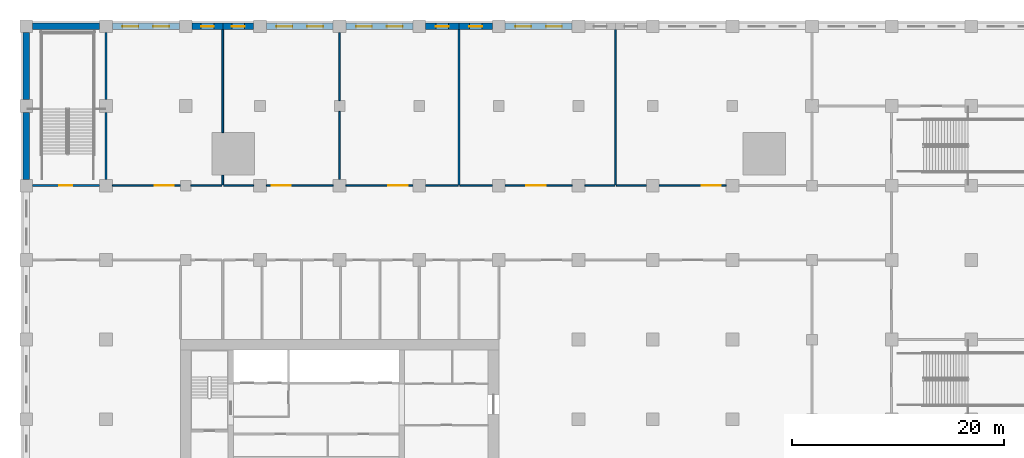
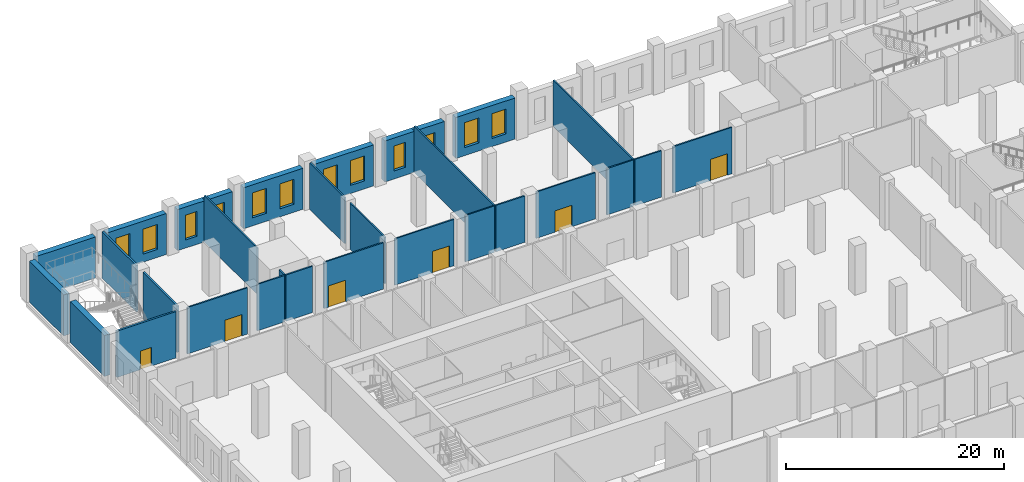
# One storey, part 9 of 25: 31 walls, 12 windows, 6 doors, 18 openings.
"""IFC4 building model written with IfcOpenShell, lengths in metres."""

from ifc_helpers import new_model, si_unit, direction, frame, frame_2d, origin, place, context, subcontext, project, spatial, rectangle, extrude, material, layer, layer_set, type_object, element, fill, save


model = new_model("IFC4")

# Units and contexts
model_context = context("Model", 3, precision=1e-05, world=origin(), true_north=direction((0.0, 1.0)))
body_context = subcontext(model_context, "Body", "Model", "MODEL_VIEW")
ifc_project = project(units=[si_unit("LENGTHUNIT", "METRE"), si_unit("AREAUNIT", "SQUARE_METRE"), si_unit("VOLUMEUNIT", "CUBIC_METRE"), si_unit("PLANEANGLEUNIT", "RADIAN"), si_unit("MASSUNIT", "GRAM", prefix="KILO")], contexts=[model_context])

# Site, building, storey
site_placement = place(None, origin())
site = spatial("IfcSite", under=ifc_project, at=site_placement, CompositionType="ELEMENT")
building_placement = place(site_placement, origin())
building = spatial("IfcBuilding", under=site, at=building_placement, Name="Tamorin Gate", CompositionType="ELEMENT")
storey_placement = place(building_placement, frame((0.0, 0.0, 23.5)))
storey = spatial("IfcBuildingStorey", under=building, at=storey_placement, Name="L04", CompositionType="ELEMENT", Elevation=23.5)

# Wall, opening, door
ifc_material_1 = material(Name="Concrete masonry C20/25", Category="masonry")
ifc_layer_1 = layer(ifc_material_1, 0.14990234375)
ifc_layer_set_1 = layer_set([ifc_layer_1], Name="Partition 150")
wall_type_1 = type_object("IfcWallType", Name="Partition 150", PredefinedType="PARTITIONING", material=ifc_layer_set_1)
wall_1_placement = place(storey_placement, frame((30.0, 97.0, 0.0), z_axis=(0.0, 0.0, 1.0), x_axis=(-1.0, 0.0, 0.0)))
wall_1 = element("IfcWall", 1, at=wall_1_placement, inside=storey, type_object=wall_type_1, Name="Partition 150 L04", PredefinedType="PARTITIONING", context=body_context, shape_type="SweptSolid", body=[
    extrude(rectangle(XDim=6.39990234375, YDim=0.14990234375, at=frame_2d((3.199951171875, 0.0))), origin(), (0.0, 0.0, 1.0), 5.199951171875),
])
opening_1_placement = place(wall_1_placement, frame((0.60009765625, 0.0, 0.0)))
opening_1 = element("IfcOpeningElement", 2, at=opening_1_placement, cuts=wall_1, Name="Opening DP3", PredefinedType="OPENING", context=body_context, shape_type="SweptSolid", body=[
    extrude(rectangle(XDim=1.800048828125, YDim=2.39990234375, at=frame_2d((0.89990234375, 1.199951171875))), frame((0.0, 0.0849609375, 0.0), z_axis=(0.0, -1.0, 0.0), x_axis=(1.0, 0.0, 0.0)), (0.0, 0.0, 1.0), 0.169921875),
])
ifc_material_2 = material(Name="Steel and glass", Category="steel")
door_type_1 = type_object("IfcDoorType", Name="Door pair 1800", OperationType="DOUBLE_DOOR_SINGLE_SWING", PredefinedType="DOOR", material=ifc_material_2)
door_1_placement = place(opening_1_placement, origin())
door_1 = element("IfcDoor", 3, at=door_1_placement, inside=storey, type_object=door_type_1, Name="Door pair 1800 L04", OperationType="SINGLE_SWING_LEFT", OverallHeight=2.39990234375, OverallWidth=1.800048828125, PredefinedType="DOOR", context=body_context, shape_type="SweptSolid", body=[
    extrude(rectangle(XDim=1.800048828125, YDim=2.39990234375, at=frame_2d((0.89990234375, 1.199951171875))), frame((0.0, 0.02490234375, 0.0), z_axis=(0.0, -1.0, 0.0), x_axis=(1.0, 0.0, 0.0)), (0.0, 0.0, 1.0), 0.050048828125),
])
fill(opening_1, door_1)

# Walls
wall_2_placement = place(storey_placement, frame((31.0, 97.0, 0.0), z_axis=(0.0, 0.0, 1.0), x_axis=(1.0, 0.0, 0.0)))
element("IfcWall", 4, at=wall_2_placement, inside=storey, type_object=wall_type_1, Name="Partition 150 L04", PredefinedType="PARTITIONING", context=body_context, shape_type="SweptSolid", body=[
    extrude(rectangle(XDim=2.925048828125, YDim=0.14990234375, at=frame_2d((1.46240234375, 0.0))), origin(), (0.0, 0.0, 1.0), 5.199951171875),
])
wall_3_placement = place(storey_placement, frame((34.074951171875, 97.0, 0.0), z_axis=(0.0, 0.0, 1.0), x_axis=(1.0, 0.0, 0.0)))
element("IfcWall", 5, at=wall_3_placement, inside=storey, type_object=wall_type_1, Name="Partition 150 L04", PredefinedType="PARTITIONING", context=body_context, shape_type="SweptSolid", body=[
    extrude(rectangle(XDim=2.824951171875, YDim=0.14990234375, at=frame_2d((1.41259765625, 0.0))), origin(), (0.0, 0.0, 1.0), 5.199951171875),
])

# Wall, opening, door
wall_4_placement = place(storey_placement, frame((44.39990234375, 97.0, 0.0), z_axis=(0.0, 0.0, 1.0), x_axis=(-1.0, 0.0, 0.0)))
wall_4 = element("IfcWall", 6, at=wall_4_placement, inside=storey, type_object=wall_type_1, Name="Partition 150 L04", PredefinedType="PARTITIONING", context=body_context, shape_type="SweptSolid", body=[
    extrude(rectangle(XDim=6.2998046875, YDim=0.14990234375, at=frame_2d((3.14990234375, 0.0))), origin(), (0.0, 0.0, 1.0), 5.199951171875),
])
opening_2_placement = place(wall_4_placement, frame((4.0, 0.0, 0.0)))
opening_2 = element("IfcOpeningElement", 7, at=opening_2_placement, cuts=wall_4, Name="Opening DP3", PredefinedType="OPENING", context=body_context, shape_type="SweptSolid", body=[
    extrude(rectangle(XDim=1.800048828125, YDim=2.39990234375, at=frame_2d((0.89990234375, 1.199951171875))), frame((0.0, 0.0849609375, 0.0), z_axis=(0.0, -1.0, 0.0), x_axis=(1.0, 0.0, 0.0)), (0.0, 0.0, 1.0), 0.169921875),
])
door_2_placement = place(opening_2_placement, origin())
door_2 = element("IfcDoor", 8, at=door_2_placement, inside=storey, type_object=door_type_1, Name="Door pair 1800 L04", OperationType="SINGLE_SWING_LEFT", OverallHeight=2.39990234375, OverallWidth=1.800048828125, PredefinedType="DOOR", context=body_context, shape_type="SweptSolid", body=[
    extrude(rectangle(XDim=1.800048828125, YDim=2.39990234375, at=frame_2d((0.89990234375, 1.199951171875))), frame((0.0, 0.02490234375, 0.0), z_axis=(0.0, -1.0, 0.0), x_axis=(1.0, 0.0, 0.0)), (0.0, 0.0, 1.0), 0.050048828125),
])
fill(opening_2, door_2)

wall_5_placement = place(storey_placement, frame((51.89990234375, 97.0, 0.0), z_axis=(0.0, 0.0, 1.0), x_axis=(-1.0, 0.0, 0.0)))
wall_5 = element("IfcWall", 9, at=wall_5_placement, inside=storey, type_object=wall_type_1, Name="Partition 150 L04", PredefinedType="PARTITIONING", context=body_context, shape_type="SweptSolid", body=[
    extrude(rectangle(XDim=6.2998046875, YDim=0.14990234375, at=frame_2d((3.14990234375, 0.0))), origin(), (0.0, 0.0, 1.0), 5.199951171875),
])
opening_3_placement = place(wall_5_placement, frame((0.5, 0.0, 0.0)))
opening_3 = element("IfcOpeningElement", 10, at=opening_3_placement, cuts=wall_5, Name="Opening DP3", PredefinedType="OPENING", context=body_context, shape_type="SweptSolid", body=[
    extrude(rectangle(XDim=1.800048828125, YDim=2.39990234375, at=frame_2d((0.89990234375, 1.199951171875))), frame((0.0, 0.0849609375, 0.0), z_axis=(0.0, -1.0, 0.0), x_axis=(1.0, 0.0, 0.0)), (0.0, 0.0, 1.0), 0.169921875),
])
door_3_placement = place(opening_3_placement, origin())
door_3 = element("IfcDoor", 11, at=door_3_placement, inside=storey, type_object=door_type_1, Name="Door pair 1800 L04", OperationType="SINGLE_SWING_LEFT", OverallHeight=2.39990234375, OverallWidth=1.800048828125, PredefinedType="DOOR", context=body_context, shape_type="SweptSolid", body=[
    extrude(rectangle(XDim=1.800048828125, YDim=2.39990234375, at=frame_2d((0.89990234375, 1.199951171875))), frame((0.0, 0.02490234375, 0.0), z_axis=(0.0, -1.0, 0.0), x_axis=(1.0, 0.0, 0.0)), (0.0, 0.0, 1.0), 0.050048828125),
])
fill(opening_3, door_3)

# Walls
for number, where, z_axis, x_axis, name in (
    (12, (53.10009765625, 97.0, 0.0), (0.0, 0.0, 1.0), (1.0, 0.0, 0.0), "Partition 150 L04"),
    (13, (56.324951171875, 97.0, 0.0), (0.0, 0.0, 1.0), (1.0, 0.0, 0.0), "Partition 150 L04"),
):
    element("IfcWall", number, at=place(storey_placement, frame(where, z_axis=z_axis, x_axis=x_axis)), inside=storey, type_object=wall_type_1, Name=name, PredefinedType="PARTITIONING", context=body_context, shape_type="SweptSolid", body=[
        extrude(rectangle(XDim=3.074951171875, YDim=0.14990234375, at=frame_2d((1.53759765625, 0.0))), origin(), (0.0, 0.0, 1.0), 5.199951171875),
    ])

# Wall, opening, door
wall_6_placement = place(storey_placement, frame((66.89990234375, 97.0, 0.0), z_axis=(0.0, 0.0, 1.0), x_axis=(-1.0, 0.0, 0.0)))
wall_6 = element("IfcWall", 14, at=wall_6_placement, inside=storey, type_object=wall_type_1, Name="Partition 150 L04", PredefinedType="PARTITIONING", context=body_context, shape_type="SweptSolid", body=[
    extrude(rectangle(XDim=6.2998046875, YDim=0.14990234375, at=frame_2d((3.14990234375, 0.0))), origin(), (0.0, 0.0, 1.0), 5.199951171875),
])
opening_4_placement = place(wall_6_placement, frame((2.5, 0.0, 0.0)))
opening_4 = element("IfcOpeningElement", 15, at=opening_4_placement, cuts=wall_6, Name="Opening DP3", PredefinedType="OPENING", context=body_context, shape_type="SweptSolid", body=[
    extrude(rectangle(XDim=1.800048828125, YDim=2.39990234375, at=frame_2d((0.89990234375, 1.199951171875))), frame((0.0, 0.0849609375, 0.0), z_axis=(0.0, -1.0, 0.0), x_axis=(1.0, 0.0, 0.0)), (0.0, 0.0, 1.0), 0.169921875),
])
door_4_placement = place(opening_4_placement, origin())
door_4 = element("IfcDoor", 16, at=door_4_placement, inside=storey, type_object=door_type_1, Name="Door pair 1800 L04", OperationType="SINGLE_SWING_LEFT", OverallHeight=2.39990234375, OverallWidth=1.800048828125, PredefinedType="DOOR", context=body_context, shape_type="SweptSolid", body=[
    extrude(rectangle(XDim=1.800048828125, YDim=2.39990234375, at=frame_2d((0.89990234375, 1.199951171875))), frame((0.0, 0.02490234375, 0.0), z_axis=(0.0, -1.0, 0.0), x_axis=(1.0, 0.0, 0.0)), (0.0, 0.0, 1.0), 0.050048828125),
])
fill(opening_4, door_4)

# Walls
for number, where, z_axis, x_axis, name in (
    (17, (68.10009765625, 97.0, 0.0), (0.0, 0.0, 1.0), (1.0, 0.0, 0.0), "Partition 150 L04"),
    (18, (71.074951171875, 97.0, 0.0), (0.0, 0.0, 1.0), (1.0, 0.0, 0.0), "Partition 150 L04"),
):
    element("IfcWall", number, at=place(storey_placement, frame(where, z_axis=z_axis, x_axis=x_axis)), inside=storey, type_object=wall_type_1, Name=name, PredefinedType="PARTITIONING", context=body_context, shape_type="SweptSolid", body=[
        extrude(rectangle(XDim=2.824951171875, YDim=0.14990234375, at=frame_2d((1.41259765625, 0.0))), origin(), (0.0, 0.0, 1.0), 5.199951171875),
    ])

# Wall, opening, door
wall_7_placement = place(storey_placement, frame((81.39990234375, 97.0, 0.0), z_axis=(0.0, 0.0, 1.0), x_axis=(-1.0, 0.0, 0.0)))
wall_7 = element("IfcWall", 19, at=wall_7_placement, inside=storey, type_object=wall_type_1, Name="Partition 150 L04", PredefinedType="PARTITIONING", context=body_context, shape_type="SweptSolid", body=[
    extrude(rectangle(XDim=6.2998046875, YDim=0.14990234375, at=frame_2d((3.14990234375, 0.0))), origin(), (0.0, 0.0, 1.0), 5.199951171875),
])
opening_5_placement = place(wall_7_placement, frame((0.5, 0.0, 0.0)))
opening_5 = element("IfcOpeningElement", 20, at=opening_5_placement, cuts=wall_7, Name="Opening DP3", PredefinedType="OPENING", context=body_context, shape_type="SweptSolid", body=[
    extrude(rectangle(XDim=1.800048828125, YDim=2.39990234375, at=frame_2d((0.89990234375, 1.199951171875))), frame((0.0, 0.0849609375, 0.0), z_axis=(0.0, -1.0, 0.0), x_axis=(1.0, 0.0, 0.0)), (0.0, 0.0, 1.0), 0.169921875),
])
door_5_placement = place(opening_5_placement, origin())
door_5 = element("IfcDoor", 21, at=door_5_placement, inside=storey, type_object=door_type_1, Name="Door pair 1800 L04", OperationType="SINGLE_SWING_LEFT", OverallHeight=2.39990234375, OverallWidth=1.800048828125, PredefinedType="DOOR", context=body_context, shape_type="SweptSolid", body=[
    extrude(rectangle(XDim=1.800048828125, YDim=2.39990234375, at=frame_2d((0.89990234375, 1.199951171875))), frame((0.0, 0.02490234375, 0.0), z_axis=(0.0, -1.0, 0.0), x_axis=(1.0, 0.0, 0.0)), (0.0, 0.0, 1.0), 0.050048828125),
])
fill(opening_5, door_5)

# Walls
wall_8_placement = place(storey_placement, frame((34.0, 97.074951171875, 0.0), z_axis=(0.0, 0.0, 1.0), x_axis=(0.0, 1.0, 0.0)))
element("IfcWall", 22, at=wall_8_placement, inside=storey, type_object=wall_type_1, Name="Partition 150 L04", PredefinedType="PARTITIONING", context=body_context, shape_type="SweptSolid", body=[
    extrude(rectangle(XDim=0.925048828125, YDim=0.14990234375, at=frame_2d((0.46240234375, 0.0))), origin(), (0.0, 0.0, 1.0), 5.199951171875),
])
wall_9_placement = place(storey_placement, frame((34.0, 102.0, 0.0), z_axis=(0.0, 0.0, 1.0), x_axis=(0.0, 1.0, 0.0)))
element("IfcWall", 23, at=wall_9_placement, inside=storey, type_object=wall_type_1, Name="Partition 150 L04", PredefinedType="PARTITIONING", context=body_context, shape_type="SweptSolid", body=[
    extrude(rectangle(XDim=9.699951171875, YDim=0.14990234375, at=frame_2d((4.85009765625, 0.0))), origin(), (0.0, 0.0, 1.0), 5.199951171875),
])
for number, where, z_axis, x_axis, name in (
    (24, (45.0, 97.60009765625, 0.0), (0.0, 0.0, 1.0), (0.0, 1.0, 0.0), "Partition 150 L04"),
    (25, (45.0, 105.0, 0.0), (0.0, 0.0, 1.0), (0.0, 1.0, 0.0), "Partition 150 L04"),
):
    element("IfcWall", number, at=place(storey_placement, frame(where, z_axis=z_axis, x_axis=x_axis)), inside=storey, type_object=wall_type_1, Name=name, PredefinedType="PARTITIONING", context=body_context, shape_type="SweptSolid", body=[
        extrude(rectangle(XDim=6.39990234375, YDim=0.14990234375, at=frame_2d((3.199951171875, 0.0))), origin(), (0.0, 0.0, 1.0), 5.199951171875),
    ])
for number, where, z_axis, x_axis, name in (
    (26, (71.0, 97.074951171875, 0.0), (0.0, 0.0, 1.0), (0.0, 1.0, 0.0), "Partition 150 L04"),
    (27, (56.25, 97.074951171875, 0.0), (0.0, 0.0, 1.0), (0.0, 1.0, 0.0), "Partition 150 L04"),
):
    element("IfcWall", number, at=place(storey_placement, frame(where, z_axis=z_axis, x_axis=x_axis)), inside=storey, type_object=wall_type_1, Name=name, PredefinedType="PARTITIONING", context=body_context, shape_type="SweptSolid", body=[
        extrude(rectangle(XDim=14.625, YDim=0.14990234375, at=frame_2d((7.3125, 0.0))), origin(), (0.0, 0.0, 1.0), 5.199951171875),
    ])
ifc_material_3 = material(Name="Precast concrete C40/50", Category="concrete")
ifc_layer_2 = layer(ifc_material_3, 0.60009765625)
ifc_layer_set_2 = layer_set([ifc_layer_2], Name="Precast concrete C40/50")
wall_type_2 = type_object("IfcWallType", Name="Precast plinth wall 600", PredefinedType="PARTITIONING", material=ifc_layer_set_2)
wall_10_placement = place(storey_placement, frame((16.10009765625, 112.0, 0.0), z_axis=(0.0, 0.0, 1.0), x_axis=(1.0, 0.0, 0.0)))
element("IfcWall", 28, at=wall_10_placement, inside=storey, type_object=wall_type_2, Name="Precast plinth wall 600 L04", PredefinedType="PARTITIONING", context=body_context, shape_type="SweptSolid", body=[
    extrude(rectangle(XDim=6.2998046875, YDim=0.60009765625, at=frame_2d((3.14990234375, 0.0))), origin(), (0.0, 0.0, 1.0), 4.60009765625),
])

# Wall, openings, windows
wall_11_placement = place(storey_placement, frame((23.60009765625, 112.0, 0.0), z_axis=(0.0, 0.0, 1.0), x_axis=(1.0, 0.0, 0.0)))
wall_11 = element("IfcWall", 29, at=wall_11_placement, inside=storey, type_object=wall_type_2, Name="Precast plinth wall 600 L04", PredefinedType="PARTITIONING", context=body_context, shape_type="SweptSolid", body=[
    extrude(rectangle(XDim=6.2998046875, YDim=0.60009765625, at=frame_2d((3.14990234375, 0.0))), origin(), (0.0, 0.0, 1.0), 4.60009765625),
])
opening_6_placement = place(wall_11_placement, frame((0.950927734375, 0.0, 0.89990234375)))
opening_6 = element("IfcOpeningElement", 30, at=opening_6_placement, cuts=wall_11, Name="Opening PWN5", PredefinedType="OPENING", context=body_context, shape_type="SweptSolid", body=[
    extrude(rectangle(XDim=1.5, YDim=2.800048828125, at=frame_2d((0.75, 1.39990234375))), frame((0.0, 0.31005859375, 0.0), z_axis=(0.0, -1.0, 0.0), x_axis=(1.0, 0.0, 0.0)), (0.0, 0.0, 1.0), 0.6201171875),
])
opening_7_placement = place(wall_11_placement, frame((3.84912109375, 0.0, 0.89990234375)))
opening_7 = element("IfcOpeningElement", 31, at=opening_7_placement, cuts=wall_11, Name="Opening PWN5", PredefinedType="OPENING", context=body_context, shape_type="SweptSolid", body=[
    extrude(rectangle(XDim=1.5, YDim=2.800048828125, at=frame_2d((0.75, 1.39990234375))), frame((0.0, 0.31005859375, 0.0), z_axis=(0.0, -1.0, 0.0), x_axis=(1.0, 0.0, 0.0)), (0.0, 0.0, 1.0), 0.6201171875),
])
ifc_material_4 = material(Name="Aluminium and glass", Category="aluminium")
window_type_1 = type_object("IfcWindowType", Name="Plinth window 1500x2800", PartitioningType="DOUBLE_PANEL_VERTICAL", PredefinedType="WINDOW", material=ifc_material_4)
window_1_placement = place(opening_6_placement, origin())
window_1 = element("IfcWindow", 32, at=window_1_placement, inside=storey, type_object=window_type_1, Name="Plinth window 1500x2800", OverallHeight=2.800048828125, OverallWidth=1.5, PartitioningType="SINGLE_PANEL", PredefinedType="WINDOW", context=body_context, shape_type="SweptSolid", body=[
    extrude(rectangle(XDim=1.5, YDim=2.800048828125, at=frame_2d((0.75, 1.39990234375))), frame((0.0, 0.030029296875, 0.0), z_axis=(0.0, -1.0, 0.0), x_axis=(1.0, 0.0, 0.0)), (0.0, 0.0, 1.0), 0.06005859375),
])
fill(opening_6, window_1)
window_2_placement = place(opening_7_placement, origin())
window_2 = element("IfcWindow", 33, at=window_2_placement, inside=storey, type_object=window_type_1, Name="Plinth window 1500x2800", OverallHeight=2.800048828125, OverallWidth=1.5, PartitioningType="SINGLE_PANEL", PredefinedType="WINDOW", context=body_context, shape_type="SweptSolid", body=[
    extrude(rectangle(XDim=1.5, YDim=2.800048828125, at=frame_2d((0.75, 1.39990234375))), frame((0.0, 0.030029296875, 0.0), z_axis=(0.0, -1.0, 0.0), x_axis=(1.0, 0.0, 0.0)), (0.0, 0.0, 1.0), 0.06005859375),
])
fill(opening_7, window_2)

# Wall, opening, window
wall_12_placement = place(storey_placement, frame((31.10009765625, 112.0, 0.0), z_axis=(0.0, 0.0, 1.0), x_axis=(1.0, 0.0, 0.0)))
wall_12 = element("IfcWall", 34, at=wall_12_placement, inside=storey, type_object=wall_type_2, Name="Precast plinth wall 600 L04", PredefinedType="PARTITIONING", context=body_context, shape_type="SweptSolid", body=[
    extrude(rectangle(XDim=2.89990234375, YDim=0.60009765625, at=frame_2d((1.449951171875, 0.0))), origin(), (0.0, 0.0, 1.0), 4.60009765625),
])
opening_8_placement = place(wall_12_placement, frame((0.85009765625, 0.0, 0.89990234375)))
opening_8 = element("IfcOpeningElement", 35, at=opening_8_placement, cuts=wall_12, Name="Opening PWN4", PredefinedType="OPENING", context=body_context, shape_type="SweptSolid", body=[
    extrude(rectangle(XDim=1.199951171875, YDim=2.800048828125, at=frame_2d((0.60009765625, 1.39990234375))), frame((0.0, 0.31005859375, 0.0), z_axis=(0.0, -1.0, 0.0), x_axis=(1.0, 0.0, 0.0)), (0.0, 0.0, 1.0), 0.6201171875),
])
window_type_2 = type_object("IfcWindowType", Name="Plinth window 1200x2800", PartitioningType="DOUBLE_PANEL_VERTICAL", PredefinedType="WINDOW", material=ifc_material_4)
window_3_placement = place(opening_8_placement, origin())
window_3 = element("IfcWindow", 36, at=window_3_placement, inside=storey, type_object=window_type_2, Name="Plinth window 1200x2800", OverallHeight=2.800048828125, OverallWidth=1.199951171875, PartitioningType="SINGLE_PANEL", PredefinedType="WINDOW", context=body_context, shape_type="SweptSolid", body=[
    extrude(rectangle(XDim=1.199951171875, YDim=2.800048828125, at=frame_2d((0.60009765625, 1.39990234375))), frame((0.0, 0.030029296875, 0.0), z_axis=(0.0, -1.0, 0.0), x_axis=(1.0, 0.0, 0.0)), (0.0, 0.0, 1.0), 0.06005859375),
])
fill(opening_8, window_3)

wall_13_placement = place(storey_placement, frame((34.0, 112.0, 0.0), z_axis=(0.0, 0.0, 1.0), x_axis=(1.0, 0.0, 0.0)))
wall_13 = element("IfcWall", 37, at=wall_13_placement, inside=storey, type_object=wall_type_2, Name="Precast plinth wall 600 L04", PredefinedType="PARTITIONING", context=body_context, shape_type="SweptSolid", body=[
    extrude(rectangle(XDim=2.89990234375, YDim=0.60009765625, at=frame_2d((1.449951171875, 0.0))), origin(), (0.0, 0.0, 1.0), 4.60009765625),
])
opening_9_placement = place(wall_13_placement, frame((0.85009765625, 0.0, 0.89990234375)))
opening_9 = element("IfcOpeningElement", 38, at=opening_9_placement, cuts=wall_13, Name="Opening PWN4", PredefinedType="OPENING", context=body_context, shape_type="SweptSolid", body=[
    extrude(rectangle(XDim=1.199951171875, YDim=2.800048828125, at=frame_2d((0.60009765625, 1.39990234375))), frame((0.0, 0.31005859375, 0.0), z_axis=(0.0, -1.0, 0.0), x_axis=(1.0, 0.0, 0.0)), (0.0, 0.0, 1.0), 0.6201171875),
])
window_4_placement = place(opening_9_placement, origin())
window_4 = element("IfcWindow", 39, at=window_4_placement, inside=storey, type_object=window_type_2, Name="Plinth window 1200x2800", OverallHeight=2.800048828125, OverallWidth=1.199951171875, PartitioningType="SINGLE_PANEL", PredefinedType="WINDOW", context=body_context, shape_type="SweptSolid", body=[
    extrude(rectangle(XDim=1.199951171875, YDim=2.800048828125, at=frame_2d((0.60009765625, 1.39990234375))), frame((0.0, 0.030029296875, 0.0), z_axis=(0.0, -1.0, 0.0), x_axis=(1.0, 0.0, 0.0)), (0.0, 0.0, 1.0), 0.06005859375),
])
fill(opening_9, window_4)

# Wall, openings, windows
wall_14_placement = place(storey_placement, frame((38.10009765625, 112.0, 0.0), z_axis=(0.0, 0.0, 1.0), x_axis=(1.0, 0.0, 0.0)))
wall_14 = element("IfcWall", 40, at=wall_14_placement, inside=storey, type_object=wall_type_2, Name="Precast plinth wall 600 L04", PredefinedType="PARTITIONING", context=body_context, shape_type="SweptSolid", body=[
    extrude(rectangle(XDim=6.2998046875, YDim=0.60009765625, at=frame_2d((3.14990234375, 0.0))), origin(), (0.0, 0.0, 1.0), 4.60009765625),
])
opening_10_placement = place(wall_14_placement, frame((0.950927734375, 0.0, 0.89990234375)))
opening_10 = element("IfcOpeningElement", 41, at=opening_10_placement, cuts=wall_14, Name="Opening PWN5", PredefinedType="OPENING", context=body_context, shape_type="SweptSolid", body=[
    extrude(rectangle(XDim=1.5, YDim=2.800048828125, at=frame_2d((0.75, 1.39990234375))), frame((0.0, 0.31005859375, 0.0), z_axis=(0.0, -1.0, 0.0), x_axis=(1.0, 0.0, 0.0)), (0.0, 0.0, 1.0), 0.6201171875),
])
opening_11_placement = place(wall_14_placement, frame((3.84912109375, 0.0, 0.89990234375)))
opening_11 = element("IfcOpeningElement", 42, at=opening_11_placement, cuts=wall_14, Name="Opening PWN5", PredefinedType="OPENING", context=body_context, shape_type="SweptSolid", body=[
    extrude(rectangle(XDim=1.5, YDim=2.800048828125, at=frame_2d((0.75, 1.39990234375))), frame((0.0, 0.31005859375, 0.0), z_axis=(0.0, -1.0, 0.0), x_axis=(1.0, 0.0, 0.0)), (0.0, 0.0, 1.0), 0.6201171875),
])
window_5_placement = place(opening_10_placement, origin())
window_5 = element("IfcWindow", 43, at=window_5_placement, inside=storey, type_object=window_type_1, Name="Plinth window 1500x2800", OverallHeight=2.800048828125, OverallWidth=1.5, PartitioningType="SINGLE_PANEL", PredefinedType="WINDOW", context=body_context, shape_type="SweptSolid", body=[
    extrude(rectangle(XDim=1.5, YDim=2.800048828125, at=frame_2d((0.75, 1.39990234375))), frame((0.0, 0.030029296875, 0.0), z_axis=(0.0, -1.0, 0.0), x_axis=(1.0, 0.0, 0.0)), (0.0, 0.0, 1.0), 0.06005859375),
])
fill(opening_10, window_5)
window_6_placement = place(opening_11_placement, origin())
window_6 = element("IfcWindow", 44, at=window_6_placement, inside=storey, type_object=window_type_1, Name="Plinth window 1500x2800", OverallHeight=2.800048828125, OverallWidth=1.5, PartitioningType="SINGLE_PANEL", PredefinedType="WINDOW", context=body_context, shape_type="SweptSolid", body=[
    extrude(rectangle(XDim=1.5, YDim=2.800048828125, at=frame_2d((0.75, 1.39990234375))), frame((0.0, 0.030029296875, 0.0), z_axis=(0.0, -1.0, 0.0), x_axis=(1.0, 0.0, 0.0)), (0.0, 0.0, 1.0), 0.06005859375),
])
fill(opening_11, window_6)

wall_15_placement = place(storey_placement, frame((45.60009765625, 112.0, 0.0), z_axis=(0.0, 0.0, 1.0), x_axis=(1.0, 0.0, 0.0)))
wall_15 = element("IfcWall", 45, at=wall_15_placement, inside=storey, type_object=wall_type_2, Name="Precast plinth wall 600 L04", PredefinedType="PARTITIONING", context=body_context, shape_type="SweptSolid", body=[
    extrude(rectangle(XDim=6.2998046875, YDim=0.60009765625, at=frame_2d((3.14990234375, 0.0))), origin(), (0.0, 0.0, 1.0), 4.60009765625),
])
opening_12_placement = place(wall_15_placement, frame((0.950927734375, 0.0, 0.89990234375)))
opening_12 = element("IfcOpeningElement", 46, at=opening_12_placement, cuts=wall_15, Name="Opening PWN5", PredefinedType="OPENING", context=body_context, shape_type="SweptSolid", body=[
    extrude(rectangle(XDim=1.5, YDim=2.800048828125, at=frame_2d((0.75, 1.39990234375))), frame((0.0, 0.31005859375, 0.0), z_axis=(0.0, -1.0, 0.0), x_axis=(1.0, 0.0, 0.0)), (0.0, 0.0, 1.0), 0.6201171875),
])
opening_13_placement = place(wall_15_placement, frame((3.84912109375, 0.0, 0.89990234375)))
opening_13 = element("IfcOpeningElement", 47, at=opening_13_placement, cuts=wall_15, Name="Opening PWN5", PredefinedType="OPENING", context=body_context, shape_type="SweptSolid", body=[
    extrude(rectangle(XDim=1.5, YDim=2.800048828125, at=frame_2d((0.75, 1.39990234375))), frame((0.0, 0.31005859375, 0.0), z_axis=(0.0, -1.0, 0.0), x_axis=(1.0, 0.0, 0.0)), (0.0, 0.0, 1.0), 0.6201171875),
])
window_7_placement = place(opening_12_placement, origin())
window_7 = element("IfcWindow", 48, at=window_7_placement, inside=storey, type_object=window_type_1, Name="Plinth window 1500x2800", OverallHeight=2.800048828125, OverallWidth=1.5, PartitioningType="SINGLE_PANEL", PredefinedType="WINDOW", context=body_context, shape_type="SweptSolid", body=[
    extrude(rectangle(XDim=1.5, YDim=2.800048828125, at=frame_2d((0.75, 1.39990234375))), frame((0.0, 0.030029296875, 0.0), z_axis=(0.0, -1.0, 0.0), x_axis=(1.0, 0.0, 0.0)), (0.0, 0.0, 1.0), 0.06005859375),
])
fill(opening_12, window_7)
window_8_placement = place(opening_13_placement, origin())
window_8 = element("IfcWindow", 49, at=window_8_placement, inside=storey, type_object=window_type_1, Name="Plinth window 1500x2800", OverallHeight=2.800048828125, OverallWidth=1.5, PartitioningType="SINGLE_PANEL", PredefinedType="WINDOW", context=body_context, shape_type="SweptSolid", body=[
    extrude(rectangle(XDim=1.5, YDim=2.800048828125, at=frame_2d((0.75, 1.39990234375))), frame((0.0, 0.030029296875, 0.0), z_axis=(0.0, -1.0, 0.0), x_axis=(1.0, 0.0, 0.0)), (0.0, 0.0, 1.0), 0.06005859375),
])
fill(opening_13, window_8)

# Wall, opening, window
wall_16_placement = place(storey_placement, frame((53.10009765625, 112.0, 0.0), z_axis=(0.0, 0.0, 1.0), x_axis=(1.0, 0.0, 0.0)))
wall_16 = element("IfcWall", 50, at=wall_16_placement, inside=storey, type_object=wall_type_2, Name="Precast plinth wall 600 L04", PredefinedType="PARTITIONING", context=body_context, shape_type="SweptSolid", body=[
    extrude(rectangle(XDim=3.14990234375, YDim=0.60009765625, at=frame_2d((1.574951171875, 0.0))), origin(), (0.0, 0.0, 1.0), 4.60009765625),
])
opening_14_placement = place(wall_16_placement, frame((0.97509765625, 0.0, 0.89990234375)))
opening_14 = element("IfcOpeningElement", 51, at=opening_14_placement, cuts=wall_16, Name="Opening PWN4", PredefinedType="OPENING", context=body_context, shape_type="SweptSolid", body=[
    extrude(rectangle(XDim=1.199951171875, YDim=2.800048828125, at=frame_2d((0.60009765625, 1.39990234375))), frame((0.0, 0.31005859375, 0.0), z_axis=(0.0, -1.0, 0.0), x_axis=(1.0, 0.0, 0.0)), (0.0, 0.0, 1.0), 0.6201171875),
])
window_9_placement = place(opening_14_placement, origin())
window_9 = element("IfcWindow", 52, at=window_9_placement, inside=storey, type_object=window_type_2, Name="Plinth window 1200x2800", OverallHeight=2.800048828125, OverallWidth=1.199951171875, PartitioningType="SINGLE_PANEL", PredefinedType="WINDOW", context=body_context, shape_type="SweptSolid", body=[
    extrude(rectangle(XDim=1.199951171875, YDim=2.800048828125, at=frame_2d((0.60009765625, 1.39990234375))), frame((0.0, 0.030029296875, 0.0), z_axis=(0.0, -1.0, 0.0), x_axis=(1.0, 0.0, 0.0)), (0.0, 0.0, 1.0), 0.06005859375),
])
fill(opening_14, window_9)

wall_17_placement = place(storey_placement, frame((56.25, 112.0, 0.0), z_axis=(0.0, 0.0, 1.0), x_axis=(1.0, 0.0, 0.0)))
wall_17 = element("IfcWall", 53, at=wall_17_placement, inside=storey, type_object=wall_type_2, Name="Precast plinth wall 600 L04", PredefinedType="PARTITIONING", context=body_context, shape_type="SweptSolid", body=[
    extrude(rectangle(XDim=3.14990234375, YDim=0.60009765625, at=frame_2d((1.574951171875, 0.0))), origin(), (0.0, 0.0, 1.0), 4.60009765625),
])
opening_15_placement = place(wall_17_placement, frame((0.97509765625, 0.0, 0.89990234375)))
opening_15 = element("IfcOpeningElement", 54, at=opening_15_placement, cuts=wall_17, Name="Opening PWN4", PredefinedType="OPENING", context=body_context, shape_type="SweptSolid", body=[
    extrude(rectangle(XDim=1.199951171875, YDim=2.800048828125, at=frame_2d((0.60009765625, 1.39990234375))), frame((0.0, 0.31005859375, 0.0), z_axis=(0.0, -1.0, 0.0), x_axis=(1.0, 0.0, 0.0)), (0.0, 0.0, 1.0), 0.6201171875),
])
window_10_placement = place(opening_15_placement, origin())
window_10 = element("IfcWindow", 55, at=window_10_placement, inside=storey, type_object=window_type_2, Name="Plinth window 1200x2800", OverallHeight=2.800048828125, OverallWidth=1.199951171875, PartitioningType="SINGLE_PANEL", PredefinedType="WINDOW", context=body_context, shape_type="SweptSolid", body=[
    extrude(rectangle(XDim=1.199951171875, YDim=2.800048828125, at=frame_2d((0.60009765625, 1.39990234375))), frame((0.0, 0.030029296875, 0.0), z_axis=(0.0, -1.0, 0.0), x_axis=(1.0, 0.0, 0.0)), (0.0, 0.0, 1.0), 0.06005859375),
])
fill(opening_15, window_10)

# Wall, openings, windows
wall_18_placement = place(storey_placement, frame((60.60009765625, 112.0, 0.0), z_axis=(0.0, 0.0, 1.0), x_axis=(1.0, 0.0, 0.0)))
wall_18 = element("IfcWall", 56, at=wall_18_placement, inside=storey, type_object=wall_type_2, Name="Precast plinth wall 600 L04", PredefinedType="PARTITIONING", context=body_context, shape_type="SweptSolid", body=[
    extrude(rectangle(XDim=6.2998046875, YDim=0.60009765625, at=frame_2d((3.14990234375, 0.0))), origin(), (0.0, 0.0, 1.0), 4.60009765625),
])
opening_16_placement = place(wall_18_placement, frame((0.950927734375, 0.0, 0.89990234375)))
opening_16 = element("IfcOpeningElement", 57, at=opening_16_placement, cuts=wall_18, Name="Opening PWN5", PredefinedType="OPENING", context=body_context, shape_type="SweptSolid", body=[
    extrude(rectangle(XDim=1.5, YDim=2.800048828125, at=frame_2d((0.75, 1.39990234375))), frame((0.0, 0.31005859375, 0.0), z_axis=(0.0, -1.0, 0.0), x_axis=(1.0, 0.0, 0.0)), (0.0, 0.0, 1.0), 0.6201171875),
])
opening_17_placement = place(wall_18_placement, frame((3.84912109375, 0.0, 0.89990234375)))
opening_17 = element("IfcOpeningElement", 58, at=opening_17_placement, cuts=wall_18, Name="Opening PWN5", PredefinedType="OPENING", context=body_context, shape_type="SweptSolid", body=[
    extrude(rectangle(XDim=1.5, YDim=2.800048828125, at=frame_2d((0.75, 1.39990234375))), frame((0.0, 0.31005859375, 0.0), z_axis=(0.0, -1.0, 0.0), x_axis=(1.0, 0.0, 0.0)), (0.0, 0.0, 1.0), 0.6201171875),
])
window_11_placement = place(opening_16_placement, origin())
window_11 = element("IfcWindow", 59, at=window_11_placement, inside=storey, type_object=window_type_1, Name="Plinth window 1500x2800", OverallHeight=2.800048828125, OverallWidth=1.5, PartitioningType="SINGLE_PANEL", PredefinedType="WINDOW", context=body_context, shape_type="SweptSolid", body=[
    extrude(rectangle(XDim=1.5, YDim=2.800048828125, at=frame_2d((0.75, 1.39990234375))), frame((0.0, 0.030029296875, 0.0), z_axis=(0.0, -1.0, 0.0), x_axis=(1.0, 0.0, 0.0)), (0.0, 0.0, 1.0), 0.06005859375),
])
fill(opening_16, window_11)
window_12_placement = place(opening_17_placement, origin())
window_12 = element("IfcWindow", 60, at=window_12_placement, inside=storey, type_object=window_type_1, Name="Plinth window 1500x2800", OverallHeight=2.800048828125, OverallWidth=1.5, PartitioningType="SINGLE_PANEL", PredefinedType="WINDOW", context=body_context, shape_type="SweptSolid", body=[
    extrude(rectangle(XDim=1.5, YDim=2.800048828125, at=frame_2d((0.75, 1.39990234375))), frame((0.0, 0.030029296875, 0.0), z_axis=(0.0, -1.0, 0.0), x_axis=(1.0, 0.0, 0.0)), (0.0, 0.0, 1.0), 0.06005859375),
])
fill(opening_17, window_12)

# Walls
for number, where, z_axis, x_axis, name in (
    (61, (15.5, 97.60009765625, 0.0), (0.0, 0.0, 1.0), (0.0, 1.0, 0.0), "Precast plinth wall 600 L04"),
    (62, (15.5, 105.10009765625, 0.0), (0.0, 0.0, 1.0), (0.0, 1.0, 0.0), "Precast plinth wall 600 L04"),
):
    element("IfcWall", number, at=place(storey_placement, frame(where, z_axis=z_axis, x_axis=x_axis)), inside=storey, type_object=wall_type_2, Name=name, PredefinedType="PARTITIONING", context=body_context, shape_type="SweptSolid", body=[
        extrude(rectangle(XDim=6.2998046875, YDim=0.60009765625, at=frame_2d((3.14990234375, 0.0))), origin(), (0.0, 0.0, 1.0), 4.60009765625),
    ])

# Wall, opening, door
ifc_material_5 = material(Name="Concrete C40/50", Category="concrete")
ifc_layer_3 = layer(ifc_material_5, 0.199951171875)
ifc_layer_set_3 = layer_set([ifc_layer_3], Name="Stair enclosure 200")
wall_type_3 = type_object("IfcWallType", Name="Stair enclosure 200", PredefinedType="SHEAR", material=ifc_layer_set_3)
wall_19_placement = place(storey_placement, frame((16.10009765625, 97.0, 0.0), z_axis=(0.0, 0.0, 1.0), x_axis=(1.0, 0.0, 0.0)))
wall_19 = element("IfcWall", 63, at=wall_19_placement, inside=storey, type_object=wall_type_3, Name="Stair enclosure 200 L04", PredefinedType="SHEAR", context=body_context, shape_type="SweptSolid", body=[
    extrude(rectangle(XDim=6.2998046875, YDim=0.199951171875, at=frame_2d((3.14990234375, 0.0))), origin(), (0.0, 0.0, 1.0), 5.199951171875),
])
opening_18_placement = place(wall_19_placement, frame((2.5, 0.0, 0.0)))
opening_18 = element("IfcOpeningElement", 64, at=opening_18_placement, cuts=wall_19, Name="Opening DP5", PredefinedType="OPENING", context=body_context, shape_type="SweptSolid", body=[
    extrude(rectangle(XDim=1.199951171875, YDim=2.10009765625, at=frame_2d((0.60009765625, 1.050048828125))), frame((0.0, 0.10986328125, 0.0), z_axis=(0.0, -1.0, 0.0), x_axis=(1.0, 0.0, 0.0)), (0.0, 0.0, 1.0), 0.219970703125),
])
ifc_material_6 = material(Name="Painted steel", Category="steel")
door_type_2 = type_object("IfcDoorType", Name="Stair door 1200", OperationType="SINGLE_SWING_LEFT", PredefinedType="DOOR", material=ifc_material_6)
door_6_placement = place(opening_18_placement, origin())
door_6 = element("IfcDoor", 65, at=door_6_placement, inside=storey, type_object=door_type_2, Name="Stair door 1200 L04", OperationType="SINGLE_SWING_LEFT", OverallHeight=2.10009765625, OverallWidth=1.199951171875, PredefinedType="DOOR", context=body_context, shape_type="SweptSolid", body=[
    extrude(rectangle(XDim=1.199951171875, YDim=2.10009765625, at=frame_2d((0.60009765625, 1.050048828125))), frame((0.0, 0.02490234375, 0.0), z_axis=(0.0, -1.0, 0.0), x_axis=(1.0, 0.0, 0.0)), (0.0, 0.0, 1.0), 0.050048828125),
])
fill(opening_18, door_6)

# Walls
for number, where, z_axis, x_axis, name in (
    (66, (23.0, 97.60009765625, 0.0), (0.0, 0.0, 1.0), (0.0, 1.0, 0.0), "Stair enclosure 200 L04"),
    (67, (23.0, 105.10009765625, 0.0), (0.0, 0.0, 1.0), (0.0, 1.0, 0.0), "Stair enclosure 200 L04"),
):
    element("IfcWall", number, at=place(storey_placement, frame(where, z_axis=z_axis, x_axis=x_axis)), inside=storey, type_object=wall_type_3, Name=name, PredefinedType="SHEAR", context=body_context, shape_type="SweptSolid", body=[
        extrude(rectangle(XDim=6.2998046875, YDim=0.199951171875, at=frame_2d((3.14990234375, 0.0))), origin(), (0.0, 0.0, 1.0), 5.199951171875),
    ])

save(model, "model.ifc")
